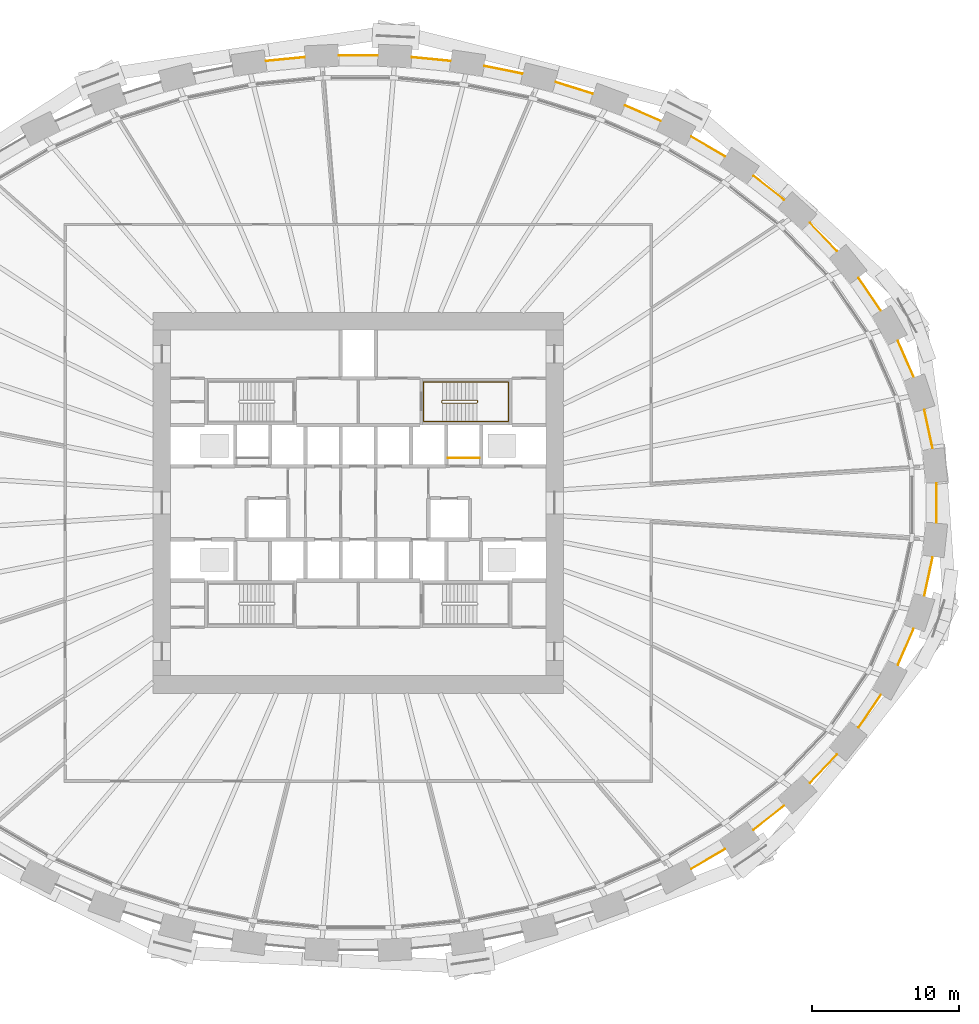
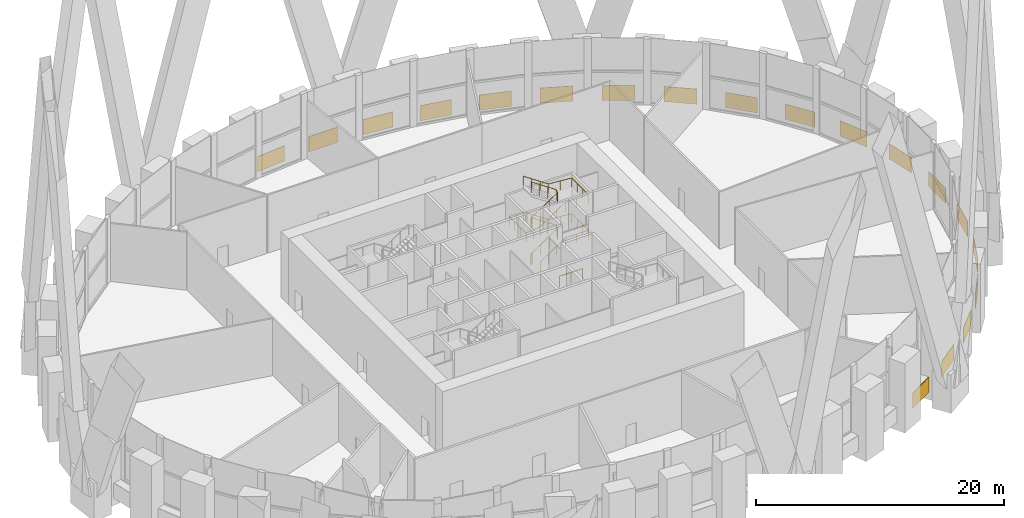
# One storey, part 16 of 17: 19 coverings, 3 railings.
"""IFC4 building model written with IfcOpenShell, lengths in metres."""

from ifc_helpers import new_model, si_unit, direction, frame, origin, origin_2d, place, context, subcontext, project, spatial, rectangle, circle, extrude, source, transform, mapped, material, layer, layer_set, type_object, element, save


model = new_model("IFC4")

# Units and contexts
model_context = context("Model", 3, precision=1e-05, world=origin(), true_north=direction((0.0, 1.0)))
body_context = subcontext(model_context, "Body", "Model", "MODEL_VIEW")
ifc_project = project(units=[si_unit("LENGTHUNIT", "METRE"), si_unit("AREAUNIT", "SQUARE_METRE"), si_unit("VOLUMEUNIT", "CUBIC_METRE"), si_unit("PLANEANGLEUNIT", "RADIAN"), si_unit("MASSUNIT", "GRAM", prefix="KILO")], contexts=[model_context])

# Site, building, storey
site_placement = place(None, origin())
site = spatial("IfcSite", under=ifc_project, at=site_placement, CompositionType="ELEMENT")
building_placement = place(site_placement, origin())
building = spatial("IfcBuilding", under=site, at=building_placement, Name="Embergate Tower", CompositionType="ELEMENT")
storey_placement = place(building_placement, frame((0.0, 0.0, 125.0)))
storey = spatial("IfcBuildingStorey", under=building, at=storey_placement, Name="L27", CompositionType="ELEMENT", Elevation=125.0)

# Coverings
ifc_material_1 = material(Name="Terracotta rainscreen on insulated backing", Category="masonry")
ifc_layer = layer(ifc_material_1, 0.0400390625)
ifc_layer_set = layer_set([ifc_layer], Name="Terracotta rainscreen on insulated backing")
covering_type = type_object("IfcCoveringType", Name="Terracotta rainscreen band", PredefinedType="CLADDING", material=ifc_layer_set)
shared_shape_1 = source(origin(), body_context, "Body", "SweptSolid", [
    extrude(rectangle(XDim=2.6923828125, YDim=0.0400390625, at=origin_2d()), origin(), (0.0, 0.0, 1.0), 1.5),
])
for number, where, z_axis, x_axis, name in (
    (1, (38.921142578125, 5.02783203125, -0.75), (0.0, 0.0, 1.0), (-0.21059460699, 0.977573481385, 0.0), "Rainscreen band 1"),
    (2, (38.921142578125, -5.02783203125, -0.75), (0.0, 0.0, 1.0), (0.21059460699, 0.977573481385, 0.0), "Rainscreen band 43"),
):
    element("IfcCovering", number, at=place(storey_placement, frame(where, z_axis=z_axis, x_axis=x_axis)), inside=storey, type_object=covering_type, Name=name, PredefinedType="CLADDING", context=body_context, shape_type="MappedRepresentation", body=[
        mapped(shared_shape_1, transform((0.0, 0.0, 0.0))),
    ])
shared_shape_2 = source(origin(), body_context, "Body", "SweptSolid", [
    extrude(rectangle(XDim=2.689453125, YDim=0.0400390625, at=origin_2d()), origin(), (0.0, 0.0, 1.0), 1.5),
])
for number, where, z_axis, x_axis, name in (
    (3, (37.367919921875, 9.833984375, -0.75), (0.0, 0.0, 1.0), (-0.401580173757, 0.915823871738, 0.0), "Rainscreen band 2"),
    (4, (37.367919921875, -9.833984375, -0.75), (0.0, 0.0, 1.0), (0.401580173757, 0.915823871738, 0.0), "Rainscreen band 42"),
):
    element("IfcCovering", number, at=place(storey_placement, frame(where, z_axis=z_axis, x_axis=x_axis)), inside=storey, type_object=covering_type, Name=name, PredefinedType="CLADDING", context=body_context, shape_type="MappedRepresentation", body=[
        mapped(shared_shape_2, transform((0.0, 0.0, 0.0))),
    ])
shared_shape_3 = source(origin(), body_context, "Body", "SweptSolid", [
    extrude(rectangle(XDim=2.678466796875, YDim=0.0400390625, at=origin_2d()), origin(), (0.0, 0.0, 1.0), 1.5),
])
for number, where, z_axis, x_axis, name in (
    (5, (34.910888671875, 14.234619140625, -0.75), (0.0, 0.0, 1.0), (-0.562259475515, 0.826960871017, 0.0), "Rainscreen band 3"),
    (6, (34.910888671875, -14.234619140625, -0.75), (0.0, 0.0, 1.0), (0.562259475515, 0.826960871017, 0.0), "Rainscreen band 41"),
):
    element("IfcCovering", number, at=place(storey_placement, frame(where, z_axis=z_axis, x_axis=x_axis)), inside=storey, type_object=covering_type, Name=name, PredefinedType="CLADDING", context=body_context, shape_type="MappedRepresentation", body=[
        mapped(shared_shape_3, transform((0.0, 0.0, 0.0))),
    ])
shared_shape_4 = source(origin(), body_context, "Body", "SweptSolid", [
    extrude(rectangle(XDim=2.673583984375, YDim=0.0400390625, at=origin_2d()), origin(), (0.0, 0.0, 1.0), 1.5),
])
for number, where, z_axis, x_axis, name in (
    (7, (31.751220703125, 18.145751953125, -0.75), (0.0, 0.0, 1.0), (-0.690075681341, 0.723737213374, 0.0), "Rainscreen band 4"),
    (8, (31.751220703125, -18.145751953125, -0.75), (0.0, 0.0, 1.0), (0.690075681341, 0.723737213374, 0.0), "Rainscreen band 40"),
):
    element("IfcCovering", number, at=place(storey_placement, frame(where, z_axis=z_axis, x_axis=x_axis)), inside=storey, type_object=covering_type, Name=name, PredefinedType="CLADDING", context=body_context, shape_type="MappedRepresentation", body=[
        mapped(shared_shape_4, transform((0.0, 0.0, 0.0))),
    ])
shared_shape_5 = source(origin(), body_context, "Body", "SweptSolid", [
    extrude(rectangle(XDim=2.666015625, YDim=0.0400390625, at=origin_2d()), origin(), (0.0, 0.0, 1.0), 1.5),
])
for number, where, z_axis, x_axis, name in (
    (9, (28.020263671875, 21.4990234375, -0.75), (0.0, 0.0, 1.0), (-0.788097782822, 0.615550066778, 0.0), "Rainscreen band 5"),
    (10, (28.020263671875, -21.4990234375, -0.75), (0.0, 0.0, 1.0), (0.788097782822, 0.615550066778, 0.0), "Rainscreen band 39"),
):
    element("IfcCovering", number, at=place(storey_placement, frame(where, z_axis=z_axis, x_axis=x_axis)), inside=storey, type_object=covering_type, Name=name, PredefinedType="CLADDING", context=body_context, shape_type="MappedRepresentation", body=[
        mapped(shared_shape_5, transform((0.0, 0.0, 0.0))),
    ])
shared_shape_6 = source(origin(), body_context, "Body", "SweptSolid", [
    extrude(rectangle(XDim=2.6611328125, YDim=0.0400390625, at=origin_2d()), origin(), (0.0, 0.0, 1.0), 1.5),
])
for number, where, z_axis, x_axis, name in (
    (11, (23.880615234375, 24.314453125, -0.75), (0.0, 0.0, 1.0), (-0.862001858681, 0.506905115017, 0.0), "Rainscreen band 6"),
    (12, (23.880615234375, -24.314453125, -0.75), (0.0, 0.0, 1.0), (0.862001858681, 0.506905115017, 0.0), "Rainscreen band 38"),
):
    element("IfcCovering", number, at=place(storey_placement, frame(where, z_axis=z_axis, x_axis=x_axis)), inside=storey, type_object=covering_type, Name=name, PredefinedType="CLADDING", context=body_context, shape_type="MappedRepresentation", body=[
        mapped(shared_shape_6, transform((0.0, 0.0, 0.0))),
    ])
shared_shape_7 = source(origin(), body_context, "Body", "SweptSolid", [
    extrude(rectangle(XDim=2.658203125, YDim=0.0400390625, at=origin_2d()), origin(), (0.0, 0.0, 1.0), 1.5),
])
covering_1_placement = place(storey_placement, frame((19.427001953125, 26.587158203125, -0.75), z_axis=(0.0, 0.0, 1.0), x_axis=(-0.916399060314, 0.400265864465, 0.0)))
element("IfcCovering", 13, at=covering_1_placement, inside=storey, type_object=covering_type, Name="Rainscreen band 7", PredefinedType="CLADDING", context=body_context, shape_type="MappedRepresentation", body=[
    mapped(shared_shape_7, transform((0.0, 0.0, 0.0))),
])
shared_shape_8 = source(origin(), body_context, "Body", "SweptSolid", [
    extrude(rectangle(XDim=2.654296875, YDim=0.0400390625, at=origin_2d()), origin(), (0.0, 0.0, 1.0), 1.5),
])
covering_2_placement = place(storey_placement, frame((14.7421875, 28.313232421875, -0.75), z_axis=(0.0, 0.0, 1.0), x_axis=(-0.954680836388, 0.297631484614, 0.0)))
element("IfcCovering", 14, at=covering_2_placement, inside=storey, type_object=covering_type, Name="Rainscreen band 8", PredefinedType="CLADDING", context=body_context, shape_type="MappedRepresentation", body=[
    mapped(shared_shape_8, transform((0.0, 0.0, 0.0))),
])
shared_shape_9 = source(origin(), body_context, "Body", "SweptSolid", [
    extrude(rectangle(XDim=2.65185546875, YDim=0.0400390625, at=origin_2d()), origin(), (0.0, 0.0, 1.0), 1.5),
])
covering_3_placement = place(storey_placement, frame((9.90869140625, 29.546875, -0.75), z_axis=(0.0, 0.0, 1.0), x_axis=(-0.980435388988, 0.196841174605, 0.0)))
element("IfcCovering", 15, at=covering_3_placement, inside=storey, type_object=covering_type, Name="Rainscreen band 9", PredefinedType="CLADDING", context=body_context, shape_type="MappedRepresentation", body=[
    mapped(shared_shape_9, transform((0.0, 0.0, 0.0))),
])
shared_shape_10 = source(origin(), body_context, "Body", "SweptSolid", [
    extrude(rectangle(XDim=2.651611328125, YDim=0.0400390625, at=origin_2d()), origin(), (0.0, 0.0, 1.0), 1.5),
])
for number, where, z_axis, x_axis, name in (
    (16, (4.9775390625, 30.28173828125, -0.75), (0.0, 0.0, 1.0), (-0.99521853954, 0.097673223331, 0.0), "Rainscreen band 10"),
    (17, (-4.9775390625, 30.28173828125, -0.75), (0.0, 0.0, 1.0), (-0.99521853954, -0.097673223331, 0.0), "Rainscreen band 12"),
):
    element("IfcCovering", number, at=place(storey_placement, frame(where, z_axis=z_axis, x_axis=x_axis)), inside=storey, type_object=covering_type, Name=name, PredefinedType="CLADDING", context=body_context, shape_type="MappedRepresentation", body=[
        mapped(shared_shape_10, transform((0.0, 0.0, 0.0))),
    ])
shared_shape_11 = source(origin(), body_context, "Body", "SweptSolid", [
    extrude(rectangle(XDim=2.64990234375, YDim=0.0400390625, at=origin_2d()), origin(), (0.0, 0.0, 1.0), 1.5),
])
covering_4_placement = place(storey_placement, frame((0.0, 30.52587890625, -0.75), z_axis=(0.0, 0.0, 1.0), x_axis=(-1.0, 0.0, 0.0)))
element("IfcCovering", 18, at=covering_4_placement, inside=storey, type_object=covering_type, Name="Rainscreen band 11", PredefinedType="CLADDING", context=body_context, shape_type="MappedRepresentation", body=[
    mapped(shared_shape_11, transform((0.0, 0.0, 0.0))),
])
shared_shape_12 = source(origin(), body_context, "Body", "SweptSolid", [
    extrude(rectangle(XDim=2.694091796875, YDim=0.0400390625, at=origin_2d()), origin(), (0.0, 0.0, 1.0), 1.5),
])
covering_5_placement = place(storey_placement, frame((39.4560546875, 0.0, -0.75), z_axis=(0.0, 0.0, 1.0), x_axis=(0.0, 1.0, 0.0)))
element("IfcCovering", 19, at=covering_5_placement, inside=storey, type_object=covering_type, Name="Rainscreen band 44", PredefinedType="CLADDING", context=body_context, shape_type="MappedRepresentation", body=[
    mapped(shared_shape_12, transform((0.0, 0.0, 0.0))),
])

# Railings
ifc_material_2 = material(Name="Stair guard 1100")
railing_type_1 = type_object("IfcRailingType", Name="Stair guard 1100", PredefinedType="GUARDRAIL", material=ifc_material_2)
shared_shape_13 = source(origin(), body_context, "Body", "SweptSolid", [
    extrude(circle(Radius=0.02392578125, at=origin_2d()), frame((0.0, 0.0, 1.076171875), z_axis=(0.0, -1.0, 0.0), x_axis=(1.0, 0.0, 0.0)), (0.0, 0.0, 1.0), 0.099853515625),
    extrude(circle(Radius=0.02392578125, at=origin_2d()), frame((0.0, -0.099853515625, 1.076171875), z_axis=(0.265065253269, -0.265065253269, 0.927081885822), x_axis=(0.707106781187, 0.707106781187, 0.0)), (0.0, 0.0, 1.0), 0.188720703125),
    extrude(circle(Radius=0.02392578125, at=origin_2d()), frame((0.050048828125, -0.14990234375, 1.2509765625), z_axis=(0.829605480656, 0.0, 0.558350021462), x_axis=(0.0, 1.0, 0.0)), (0.0, 0.0, 1.0), 2.82080078125),
    extrude(circle(Radius=0.02392578125, at=origin_2d()), frame((2.39013671875, -0.14990234375, 2.826171875), z_axis=(0.705375805398, 0.708833529934, 0.0), x_axis=(-0.708833529934, 0.705375805398, 0.0)), (0.0, 0.0, 1.0), 0.070556640625),
    extrude(circle(Radius=0.02392578125, at=origin_2d()), frame((2.43994140625, -0.099853515625, 2.826171875), z_axis=(0.0, 1.0, 0.0), x_axis=(-1.0, 0.0, 0.0)), (0.0, 0.0, 1.0), 0.099853515625),
    extrude(circle(Radius=0.02392578125, at=origin_2d()), frame((2.43994140625, 0.0, 2.826171875), z_axis=(-0.263862480399, 0.265155923931, 0.927399011991), x_axis=(-0.708833529934, -0.705375805398, 0.0)), (0.0, 0.0, 1.0), 0.188720703125),
    extrude(circle(Radius=0.02392578125, at=origin_2d()), frame((2.39013671875, 0.050048828125, 3.0009765625), z_axis=(-0.829605480656, 0.0, 0.558350021462), x_axis=(0.0, -1.0, 0.0)), (0.0, 0.0, 1.0), 2.82080078125),
    extrude(circle(Radius=0.02392578125, at=origin_2d()), frame((0.050048828125, 0.050048828125, 4.576171875), z_axis=(-0.707106781187, -0.707106781187, 0.0), x_axis=(0.707106781187, -0.707106781187, 0.0)), (0.0, 0.0, 1.0), 0.07080078125),
    extrude(circle(Radius=0.02392578125, at=origin_2d()), frame((0.0, 0.0, 4.576171875), z_axis=(0.0, -1.0, 0.0), x_axis=(1.0, 0.0, 0.0)), (0.0, 0.0, 1.0), 0.099853515625),
    extrude(circle(Radius=0.02392578125, at=origin_2d()), frame((0.0, -0.099853515625, 4.576171875), z_axis=(0.265065253269, -0.265065253269, 0.927081885822), x_axis=(0.707106781187, 0.707106781187, 0.0)), (0.0, 0.0, 1.0), 0.188720703125),
    extrude(circle(Radius=0.02392578125, at=origin_2d()), frame((0.050048828125, -0.14990234375, 4.7509765625), z_axis=(0.829605480656, 0.0, 0.558350021462), x_axis=(0.0, 1.0, 0.0)), (0.0, 0.0, 1.0), 2.82080078125),
    extrude(circle(Radius=0.02392578125, at=origin_2d()), frame((2.39013671875, -0.14990234375, 6.326171875), z_axis=(0.705375805398, 0.708833529934, 0.0), x_axis=(-0.708833529934, 0.705375805398, 0.0)), (0.0, 0.0, 1.0), 0.070556640625),
    extrude(circle(Radius=0.02392578125, at=origin_2d()), frame((2.43994140625, -0.099853515625, 6.326171875), z_axis=(0.0, 1.0, 0.0), x_axis=(-1.0, 0.0, 0.0)), (0.0, 0.0, 1.0), 0.099853515625),
    extrude(circle(Radius=0.02392578125, at=origin_2d()), frame((2.43994140625, 0.0, 6.326171875), z_axis=(-0.263862480399, 0.265155923931, 0.927399011991), x_axis=(-0.708833529934, -0.705375805398, 0.0)), (0.0, 0.0, 1.0), 0.188720703125),
    extrude(circle(Radius=0.02392578125, at=origin_2d()), frame((2.39013671875, 0.050048828125, 6.5009765625), z_axis=(-0.829605480656, 0.0, 0.558350021462), x_axis=(0.0, -1.0, 0.0)), (0.0, 0.0, 1.0), 2.82080078125),
    extrude(circle(Radius=0.02099609375, at=origin_2d()), origin(), (0.0, 0.0, 1.0), 1.052001953125),
    extrude(circle(Radius=0.02099609375, at=origin_2d()), frame((0.0, -0.099853515625, 0.0)), (0.0, 0.0, 1.0), 1.052001953125),
    extrude(circle(Radius=0.02099609375, at=origin_2d()), frame((0.050048828125, -0.14990234375, 0.175048828125)), (0.0, 0.0, 1.0), 1.052001953125),
    extrude(circle(Radius=0.02099609375, at=origin_2d()), frame((0.830078125, -0.14990234375, 0.699951171875)), (0.0, 0.0, 1.0), 1.052001953125),
    extrude(circle(Radius=0.02099609375, at=origin_2d()), frame((1.610107421875, -0.14990234375, 1.22509765625)), (0.0, 0.0, 1.0), 1.052001953125),
    extrude(circle(Radius=0.02099609375, at=origin_2d()), frame((2.39013671875, -0.14990234375, 1.75)), (0.0, 0.0, 1.0), 1.052001953125),
    extrude(circle(Radius=0.02099609375, at=origin_2d()), frame((2.43994140625, -0.099853515625, 1.75)), (0.0, 0.0, 1.0), 1.052001953125),
    extrude(circle(Radius=0.02099609375, at=origin_2d()), frame((2.43994140625, 0.0, 1.75)), (0.0, 0.0, 1.0), 1.052001953125),
    extrude(circle(Radius=0.02099609375, at=origin_2d()), frame((2.39013671875, 0.050048828125, 1.925048828125)), (0.0, 0.0, 1.0), 1.052001953125),
    extrude(circle(Radius=0.02099609375, at=origin_2d()), frame((1.610107421875, 0.050048828125, 2.449951171875)), (0.0, 0.0, 1.0), 1.052001953125),
    extrude(circle(Radius=0.02099609375, at=origin_2d()), frame((0.830078125, 0.050048828125, 2.97509765625)), (0.0, 0.0, 1.0), 1.052001953125),
    extrude(circle(Radius=0.02099609375, at=origin_2d()), frame((0.050048828125, 0.050048828125, 3.5)), (0.0, 0.0, 1.0), 1.052001953125),
    extrude(circle(Radius=0.02099609375, at=origin_2d()), frame((0.0, 0.0, 3.5)), (0.0, 0.0, 1.0), 1.052001953125),
    extrude(circle(Radius=0.02099609375, at=origin_2d()), frame((0.0, -0.099853515625, 3.5)), (0.0, 0.0, 1.0), 1.052001953125),
    extrude(circle(Radius=0.02099609375, at=origin_2d()), frame((0.050048828125, -0.14990234375, 3.675048828125)), (0.0, 0.0, 1.0), 1.052001953125),
    extrude(circle(Radius=0.02099609375, at=origin_2d()), frame((0.830078125, -0.14990234375, 4.199951171875)), (0.0, 0.0, 1.0), 1.052001953125),
    extrude(circle(Radius=0.02099609375, at=origin_2d()), frame((1.610107421875, -0.14990234375, 4.72509765625)), (0.0, 0.0, 1.0), 1.052001953125),
    extrude(circle(Radius=0.02099609375, at=origin_2d()), frame((2.39013671875, -0.14990234375, 5.25)), (0.0, 0.0, 1.0), 1.052001953125),
    extrude(circle(Radius=0.02099609375, at=origin_2d()), frame((2.43994140625, -0.099853515625, 5.25)), (0.0, 0.0, 1.0), 1.052001953125),
    extrude(circle(Radius=0.02099609375, at=origin_2d()), frame((2.43994140625, 0.0, 5.25)), (0.0, 0.0, 1.0), 1.052001953125),
    extrude(circle(Radius=0.02099609375, at=origin_2d()), frame((2.39013671875, 0.050048828125, 5.425048828125)), (0.0, 0.0, 1.0), 1.052001953125),
    extrude(circle(Radius=0.02099609375, at=origin_2d()), frame((1.610107421875, 0.050048828125, 5.949951171875)), (0.0, 0.0, 1.0), 1.052001953125),
    extrude(circle(Radius=0.02099609375, at=origin_2d()), frame((0.830078125, 0.050048828125, 6.47509765625)), (0.0, 0.0, 1.0), 1.052001953125),
    extrude(circle(Radius=0.02099609375, at=origin_2d()), frame((0.050048828125, 0.050048828125, 7.0)), (0.0, 0.0, 1.0), 1.052001953125),
])
railing_1_placement = place(storey_placement, frame((5.699951171875, 6.949951171875, 0.0)))
element("IfcRailing", 20, at=railing_1_placement, inside=storey, type_object=railing_type_1, Name="L27 ST2 stair guard 1", PredefinedType="GUARDRAIL", context=body_context, shape_type="MappedRepresentation", body=[
    mapped(shared_shape_13, transform((0.0, 0.0, 0.0))),
])
ifc_material_3 = material(Name="Stair handrail 900")
railing_type_2 = type_object("IfcRailingType", Name="Stair handrail 900", PredefinedType="HANDRAIL", material=ifc_material_3)
shared_shape_14 = source(origin(), body_context, "Body", "SweptSolid", [
    extrude(circle(Radius=0.02392578125, at=origin_2d()), frame((0.0, 0.0, 0.8759765625), z_axis=(0.829605480656, 0.0, 0.558350021462), x_axis=(0.0, 1.0, 0.0)), (0.0, 0.0, 1.0), 2.82080078125),
    extrude(circle(Radius=0.02392578125, at=origin_2d()), frame((2.340087890625, 0.0, 2.45068359375), z_axis=(1.0, 0.0, 0.0), x_axis=(0.0, 1.0, 0.0)), (0.0, 0.0, 1.0), 2.159912109375),
    extrude(circle(Radius=0.02392578125, at=origin_2d()), frame((4.5, 0.0, 2.45068359375), z_axis=(0.0, 1.0, 0.0), x_axis=(-1.0, 0.0, 0.0)), (0.0, 0.0, 1.0), 2.699951171875),
    extrude(circle(Radius=0.02392578125, at=origin_2d()), frame((4.5, 2.699951171875, 2.45068359375), z_axis=(-0.996731990761, 0.0, 0.080779567919), x_axis=(0.0, -1.0, 0.0)), (0.0, 0.0, 1.0), 2.1669921875),
    extrude(circle(Radius=0.02392578125, at=origin_2d()), frame((2.340087890625, 2.699951171875, 2.6259765625), z_axis=(-0.829605480656, 0.0, 0.558350021462), x_axis=(0.0, -1.0, 0.0)), (0.0, 0.0, 1.0), 2.82080078125),
    extrude(circle(Radius=0.02392578125, at=origin_2d()), frame((0.0, 2.699951171875, 4.20068359375), z_axis=(-1.0, 0.0, 0.0), x_axis=(0.0, -1.0, 0.0)), (0.0, 0.0, 1.0), 1.300048828125),
    extrude(circle(Radius=0.02392578125, at=origin_2d()), frame((-1.300048828125, 2.699951171875, 4.20068359375), z_axis=(0.0, -1.0, 0.0), x_axis=(1.0, 0.0, 0.0)), (0.0, 0.0, 1.0), 2.699951171875),
    extrude(circle(Radius=0.02392578125, at=origin_2d()), frame((-1.300048828125, 0.0, 4.20068359375), z_axis=(0.991056402064, 0.0, 0.133443650757), x_axis=(0.0, 1.0, 0.0)), (0.0, 0.0, 1.0), 1.311767578125),
    extrude(circle(Radius=0.02392578125, at=origin_2d()), frame((0.0, 0.0, 4.3759765625), z_axis=(0.829605480656, 0.0, 0.558350021462), x_axis=(0.0, 1.0, 0.0)), (0.0, 0.0, 1.0), 2.82080078125),
    extrude(circle(Radius=0.02392578125, at=origin_2d()), frame((2.340087890625, 0.0, 5.95068359375), z_axis=(1.0, 0.0, 0.0), x_axis=(0.0, 1.0, 0.0)), (0.0, 0.0, 1.0), 2.159912109375),
    extrude(circle(Radius=0.02392578125, at=origin_2d()), frame((4.5, 0.0, 5.95068359375), z_axis=(0.0, 1.0, 0.0), x_axis=(-1.0, 0.0, 0.0)), (0.0, 0.0, 1.0), 2.699951171875),
    extrude(circle(Radius=0.02392578125, at=origin_2d()), frame((4.5, 2.699951171875, 5.95068359375), z_axis=(-0.996731990761, 0.0, 0.080779567919), x_axis=(0.0, -1.0, 0.0)), (0.0, 0.0, 1.0), 2.1669921875),
    extrude(circle(Radius=0.02392578125, at=origin_2d()), frame((2.340087890625, 2.699951171875, 6.1259765625), z_axis=(-0.829605480656, 0.0, 0.558350021462), x_axis=(0.0, -1.0, 0.0)), (0.0, 0.0, 1.0), 2.82080078125),
    extrude(circle(Radius=0.02099609375, at=origin_2d()), origin(), (0.0, 0.0, 1.0), 0.851806640625),
    extrude(circle(Radius=0.02099609375, at=origin_2d()), frame((0.780029296875, 0.0, 0.52490234375)), (0.0, 0.0, 1.0), 0.851806640625),
    extrude(circle(Radius=0.02099609375, at=origin_2d()), frame((1.56005859375, 0.0, 1.050048828125)), (0.0, 0.0, 1.0), 0.851806640625),
    extrude(circle(Radius=0.02099609375, at=origin_2d()), frame((2.340087890625, 0.0, 1.574951171875)), (0.0, 0.0, 1.0), 0.851806640625),
    extrude(circle(Radius=0.02099609375, at=origin_2d()), frame((3.419921875, 0.0, 1.574951171875)), (0.0, 0.0, 1.0), 0.851806640625),
    extrude(circle(Radius=0.02099609375, at=origin_2d()), frame((4.5, 0.0, 1.574951171875)), (0.0, 0.0, 1.0), 0.851806640625),
    extrude(circle(Radius=0.02099609375, at=origin_2d()), frame((4.5, 0.89990234375, 1.574951171875)), (0.0, 0.0, 1.0), 0.851806640625),
    extrude(circle(Radius=0.02099609375, at=origin_2d()), frame((4.5, 1.800048828125, 1.574951171875)), (0.0, 0.0, 1.0), 0.851806640625),
    extrude(circle(Radius=0.02099609375, at=origin_2d()), frame((4.5, 2.699951171875, 1.574951171875)), (0.0, 0.0, 1.0), 0.851806640625),
    extrude(circle(Radius=0.02099609375, at=origin_2d()), frame((3.419921875, 2.699951171875, 1.66259765625)), (0.0, 0.0, 1.0), 0.851806640625),
    extrude(circle(Radius=0.02099609375, at=origin_2d()), frame((2.340087890625, 2.699951171875, 1.75)), (0.0, 0.0, 1.0), 0.851806640625),
    extrude(circle(Radius=0.02099609375, at=origin_2d()), frame((1.56005859375, 2.699951171875, 2.27490234375)), (0.0, 0.0, 1.0), 0.851806640625),
    extrude(circle(Radius=0.02099609375, at=origin_2d()), frame((0.780029296875, 2.699951171875, 2.800048828125)), (0.0, 0.0, 1.0), 0.851806640625),
    extrude(circle(Radius=0.02099609375, at=origin_2d()), frame((0.0, 2.699951171875, 3.324951171875)), (0.0, 0.0, 1.0), 0.851806640625),
    extrude(circle(Radius=0.02099609375, at=origin_2d()), frame((-0.64990234375, 2.699951171875, 3.324951171875)), (0.0, 0.0, 1.0), 0.851806640625),
    extrude(circle(Radius=0.02099609375, at=origin_2d()), frame((-1.300048828125, 2.699951171875, 3.324951171875)), (0.0, 0.0, 1.0), 0.851806640625),
    extrude(circle(Radius=0.02099609375, at=origin_2d()), frame((-1.300048828125, 1.800048828125, 3.324951171875)), (0.0, 0.0, 1.0), 0.851806640625),
    extrude(circle(Radius=0.02099609375, at=origin_2d()), frame((-1.300048828125, 0.89990234375, 3.324951171875)), (0.0, 0.0, 1.0), 0.851806640625),
    extrude(circle(Radius=0.02099609375, at=origin_2d()), frame((-1.300048828125, 0.0, 3.324951171875)), (0.0, 0.0, 1.0), 0.851806640625),
    extrude(circle(Radius=0.02099609375, at=origin_2d()), frame((-0.64990234375, 0.0, 3.41259765625)), (0.0, 0.0, 1.0), 0.851806640625),
    extrude(circle(Radius=0.02099609375, at=origin_2d()), frame((0.0, 0.0, 3.5)), (0.0, 0.0, 1.0), 0.851806640625),
    extrude(circle(Radius=0.02099609375, at=origin_2d()), frame((0.780029296875, 0.0, 4.02490234375)), (0.0, 0.0, 1.0), 0.851806640625),
    extrude(circle(Radius=0.02099609375, at=origin_2d()), frame((1.56005859375, 0.0, 4.550048828125)), (0.0, 0.0, 1.0), 0.851806640625),
    extrude(circle(Radius=0.02099609375, at=origin_2d()), frame((2.340087890625, 0.0, 5.074951171875)), (0.0, 0.0, 1.0), 0.851806640625),
    extrude(circle(Radius=0.02099609375, at=origin_2d()), frame((3.419921875, 0.0, 5.074951171875)), (0.0, 0.0, 1.0), 0.851806640625),
    extrude(circle(Radius=0.02099609375, at=origin_2d()), frame((4.5, 0.0, 5.074951171875)), (0.0, 0.0, 1.0), 0.851806640625),
    extrude(circle(Radius=0.02099609375, at=origin_2d()), frame((4.5, 0.89990234375, 5.074951171875)), (0.0, 0.0, 1.0), 0.851806640625),
    extrude(circle(Radius=0.02099609375, at=origin_2d()), frame((4.5, 1.800048828125, 5.074951171875)), (0.0, 0.0, 1.0), 0.851806640625),
    extrude(circle(Radius=0.02099609375, at=origin_2d()), frame((4.5, 2.699951171875, 5.074951171875)), (0.0, 0.0, 1.0), 0.851806640625),
    extrude(circle(Radius=0.02099609375, at=origin_2d()), frame((3.419921875, 2.699951171875, 5.16259765625)), (0.0, 0.0, 1.0), 0.851806640625),
    extrude(circle(Radius=0.02099609375, at=origin_2d()), frame((2.340087890625, 2.699951171875, 5.25)), (0.0, 0.0, 1.0), 0.851806640625),
    extrude(circle(Radius=0.02099609375, at=origin_2d()), frame((1.56005859375, 2.699951171875, 5.77490234375)), (0.0, 0.0, 1.0), 0.851806640625),
    extrude(circle(Radius=0.02099609375, at=origin_2d()), frame((0.780029296875, 2.699951171875, 6.300048828125)), (0.0, 0.0, 1.0), 0.851806640625),
    extrude(circle(Radius=0.02099609375, at=origin_2d()), frame((0.0, 2.699951171875, 6.824951171875)), (0.0, 0.0, 1.0), 0.851806640625),
])
railing_2_placement = place(storey_placement, frame((5.75, 5.550048828125, 0.175048828125)))
element("IfcRailing", 21, at=railing_2_placement, inside=storey, type_object=railing_type_2, Name="L27 ST2 stair handrail 1", PredefinedType="HANDRAIL", context=body_context, shape_type="MappedRepresentation", body=[
    mapped(shared_shape_14, transform((0.0, 0.0, 0.0))),
])
ifc_material_4 = material(Name="Opening guard 1100")
railing_type_3 = type_object("IfcRailingType", Name="Opening guard 1100", PredefinedType="GUARDRAIL", material=ifc_material_4)
shared_shape_15 = source(origin(), body_context, "Body", "SweptSolid", [
    extrude(circle(Radius=0.02392578125, at=origin_2d()), frame((0.0, 0.0, 1.076171875), z_axis=(1.0, 0.0, 0.0), x_axis=(0.0, 1.0, 0.0)), (0.0, 0.0, 1.0), 2.14990234375),
    extrude(circle(Radius=0.02099609375, at=origin_2d()), origin(), (0.0, 0.0, 1.0), 1.052001953125),
    extrude(circle(Radius=0.02099609375, at=origin_2d()), frame((1.074951171875, 0.0, 0.0)), (0.0, 0.0, 1.0), 1.052001953125),
    extrude(circle(Radius=0.02099609375, at=origin_2d()), frame((2.14990234375, 0.0, 0.0)), (0.0, 0.0, 1.0), 1.052001953125),
])
railing_3_placement = place(storey_placement, frame((6.125, 3.050048828125, 0.0)))
element("IfcRailing", 22, at=railing_3_placement, inside=storey, type_object=railing_type_3, Name="Riser opening guard", PredefinedType="GUARDRAIL", context=body_context, shape_type="MappedRepresentation", body=[
    mapped(shared_shape_15, transform((0.0, 0.0, 0.0))),
])

save(model, "model.ifc")
